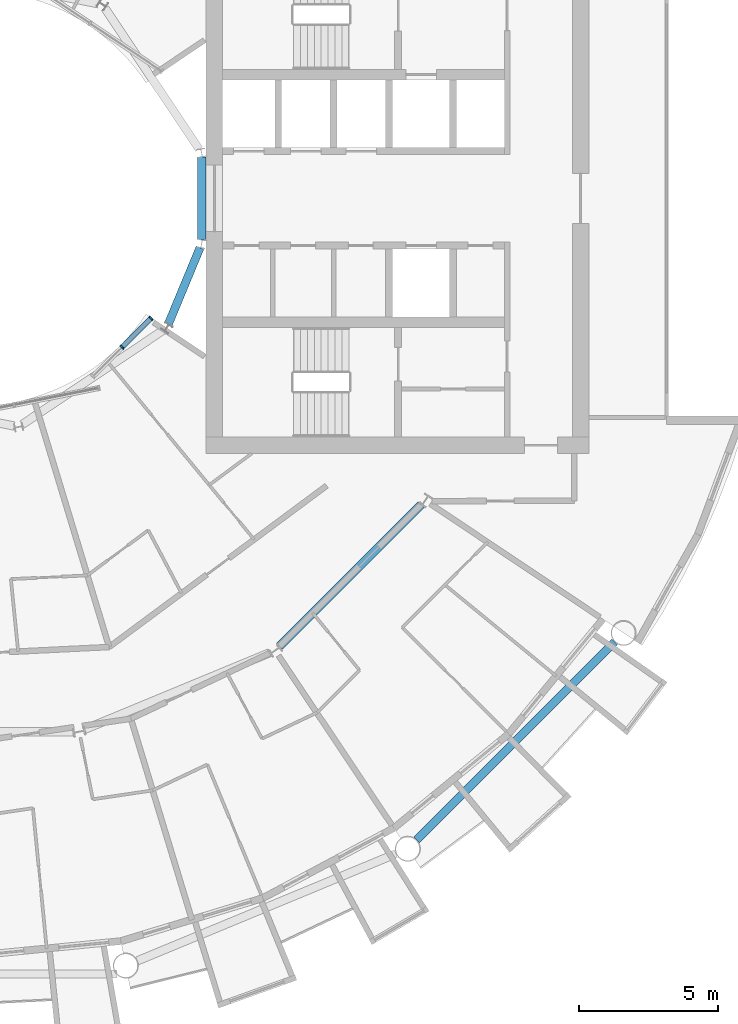
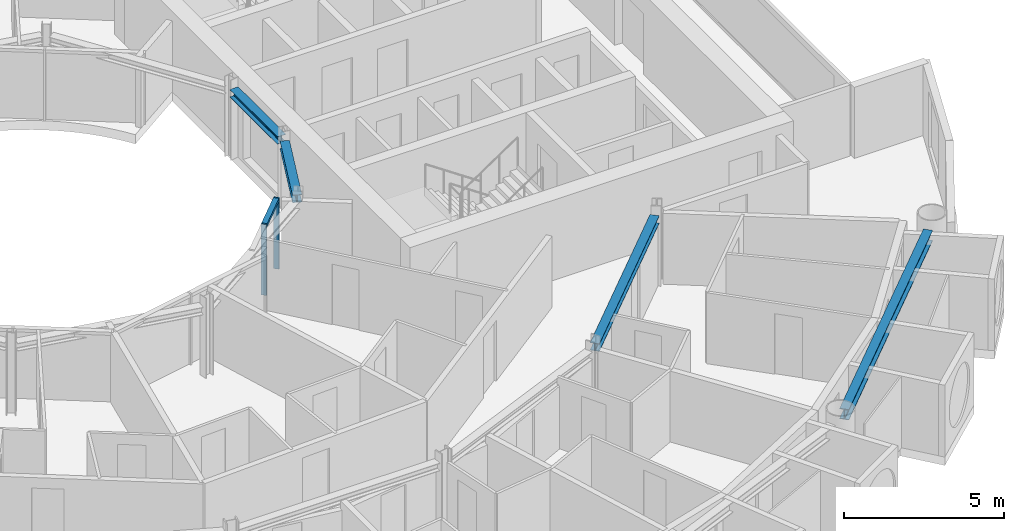
# One storey, part 7 of 26: 4 beams, 3 members, 1 element without a shape of its own.
"""IFC4 building model written with IfcOpenShell, lengths in metres."""

from ifc_helpers import new_model, si_unit, direction, frame, origin, origin_2d, place, context, subcontext, project, spatial, rectangle, i_section, extrude, material, layer, layer_set, material_profile, profile_set, type_object, element, aggregate, save


model = new_model("IFC4")

# Units and contexts
model_context = context("Model", 3, precision=1e-05, world=origin(), true_north=direction((0.0, 1.0)))
body_context = subcontext(model_context, "Body", "Model", "MODEL_VIEW")
ifc_project = project(units=[si_unit("LENGTHUNIT", "METRE"), si_unit("AREAUNIT", "SQUARE_METRE"), si_unit("VOLUMEUNIT", "CUBIC_METRE"), si_unit("PLANEANGLEUNIT", "RADIAN"), si_unit("MASSUNIT", "GRAM", prefix="KILO")], contexts=[model_context])

# Site, building, storey
site_placement = place(None, origin())
site = spatial("IfcSite", under=ifc_project, at=site_placement, CompositionType="ELEMENT")
building_placement = place(site_placement, origin())
building = spatial("IfcBuilding", under=site, at=building_placement, Name="Maasbend Ring Residences", CompositionType="ELEMENT")
storey_placement = place(building_placement, frame((0.0, 0.0, 123.85009765625)))
storey = spatial("IfcBuildingStorey", under=building, at=storey_placement, Name="L35", CompositionType="ELEMENT", Elevation=123.85009765625)

# Curtain wall, members
ifc_material_1 = material(Name="Aluminium and clear glass", Category="aluminium")
ifc_layer = layer(ifc_material_1, 0.179931640625)
ifc_layer_set = layer_set([ifc_layer], Name="CW-W")
curtain_wall_type = type_object("IfcCurtainWallType", Name="CW-W", PredefinedType="NOTDEFINED", material=ifc_layer_set)
curtain_wall_placement = place(storey_placement, origin())
curtain_wall = element("IfcCurtainWall", 1, at=curtain_wall_placement, inside=storey, type_object=curtain_wall_type, Name="Well curtain wall S3", PredefinedType="NOTDEFINED")
ifc_material_2 = material(Name="Aluminium 6063-T6", Category="aluminium")
ifc_material_profile_1 = material_profile(ifc_material_2, rectangle(XDim=0.179931640625, YDim=0.06005859375, at=origin_2d()), Name="AL 180x60")
ifc_profile_set_1 = profile_set([ifc_material_profile_1], Name="Aluminium 6063-T6")
member_type_1 = type_object("IfcMemberType", Name="CWM-W", PredefinedType="MULLION", material=ifc_profile_set_1)
member_1_placement = place(storey_placement, frame((5.366943359375, -5.366943359375, 0.0), z_axis=(0.0, 0.0, 1.0), x_axis=(-0.707106781187, 0.707106781187, 0.0)))
member_1 = element("IfcMember", 2, at=member_1_placement, type_object=member_type_1, Name="Mullion well face", PredefinedType="MULLION", context=body_context, shape_type="SweptSolid", body=[
    extrude(rectangle(XDim=0.179931640625, YDim=0.06005859375, at=origin_2d()), origin(), (0.0, 0.0, 1.0), 2.699951171875),
])
member_2_placement = place(storey_placement, frame((6.413330078125, -4.320556640625, 0.0), z_axis=(0.0, 0.0, 1.0), x_axis=(-0.707106781187, 0.707106781187, 0.0)))
member_2 = element("IfcMember", 3, at=member_2_placement, type_object=member_type_1, Name="Mullion well face", PredefinedType="MULLION", context=body_context, shape_type="SweptSolid", body=[
    extrude(rectangle(XDim=0.179931640625, YDim=0.06005859375, at=origin_2d()), origin(), (0.0, 0.0, 1.0), 2.699951171875),
])
ifc_material_3 = material(Name="Aluminium 6063-T6", Category="aluminium")
ifc_material_profile_2 = material_profile(ifc_material_3, rectangle(XDim=0.179931640625, YDim=0.1201171875, at=origin_2d()), Name="AL 180x120")
ifc_profile_set_2 = profile_set([ifc_material_profile_2], Name="Aluminium 6063-T6")
member_type_2 = type_object("IfcMemberType", Name="CWT-W", PredefinedType="USERDEFINED", material=ifc_profile_set_2)
member_3_placement = place(storey_placement, frame((5.38818359375, -5.345703125, 2.639892578125), z_axis=(0.707106781187, 0.707106781187, 0.0), x_axis=(-0.707106781187, 0.707106781187, 0.0)))
member_3 = element("IfcMember", 4, at=member_3_placement, type_object=member_type_2, Name="Transom well face", ObjectType="TRANSOM", PredefinedType="USERDEFINED", context=body_context, shape_type="SweptSolid", body=[
    extrude(rectangle(XDim=0.179931640625, YDim=0.1201171875, at=origin_2d()), origin(), (0.0, 0.0, 1.0), 1.419677734375),
])
aggregate(curtain_wall, [member_1, member_2, member_3])

# Beams
ifc_material_4 = material(Name="Steel S355J2", Category="steel")
ifc_material_profile_3 = material_profile(ifc_material_4, i_section(OverallWidth=0.300048828125, OverallDepth=0.2900390625, WebThickness=0.008544921875, FlangeThickness=0.013916015625, FilletRadius=0.027099609375, at=origin_2d()), Name="HEA 300")
ifc_profile_set_3 = profile_set([ifc_material_profile_3], Name="Steel S355J2")
beam_type_1 = type_object("IfcBeamType", Name="Corridor ring beam HEA 300", PredefinedType="BEAM", material=ifc_profile_set_3)
beam_1_placement = place(storey_placement, frame((11.044921875, -16.14111328125, 2.554931640625), z_axis=(0.707106781187, 0.707106781187, 0.0), x_axis=(-0.707106781187, 0.707106781187, 0.0)))
element("IfcBeam", 5, at=beam_1_placement, inside=storey, type_object=beam_type_1, Name="Corridor ring beam", PredefinedType="BEAM", context=body_context, shape_type="SweptSolid", body=[
    extrude(i_section(OverallWidth=0.300048828125, OverallDepth=0.2900390625, WebThickness=0.008544921875, FlangeThickness=0.013916015625, FilletRadius=0.027099609375, at=origin_2d()), origin(), (0.0, 0.0, 1.0), 7.20703125),
])
ifc_material_5 = material(Name="Steel S355J2", Category="steel")
ifc_material_profile_4 = material_profile(ifc_material_5, i_section(OverallWidth=0.300048828125, OverallDepth=0.39990234375, WebThickness=0.013427734375, FlangeThickness=0.02392578125, FilletRadius=0.027099609375, at=origin_2d()), Name="HEB 400")
ifc_profile_set_4 = profile_set([ifc_material_profile_4], Name="Steel S355J2")
beam_type_2 = type_object("IfcBeamType", Name="Spandrel ring beam HEB 400", PredefinedType="SPANDREL", material=ifc_profile_set_4)
beam_2_placement = place(storey_placement, frame((15.990234375, -23.124267578125, 2.5), z_axis=(0.707106781187, 0.707106781187, 0.0), x_axis=(-0.707106781187, 0.707106781187, 0.0)))
element("IfcBeam", 6, at=beam_2_placement, inside=storey, type_object=beam_type_2, Name="Spandrel ring beam", PredefinedType="SPANDREL", context=body_context, shape_type="SweptSolid", body=[
    extrude(i_section(OverallWidth=0.300048828125, OverallDepth=0.39990234375, WebThickness=0.013427734375, FlangeThickness=0.02392578125, FilletRadius=0.027099609375, at=origin_2d()), origin(), (0.0, 0.0, 1.0), 10.089111328125),
])
ifc_material_6 = material(Name="Steel S355J2", Category="steel")
ifc_material_profile_5 = material_profile(ifc_material_6, i_section(OverallWidth=0.300048828125, OverallDepth=0.2900390625, WebThickness=0.008544921875, FlangeThickness=0.013916015625, FilletRadius=0.027099609375, at=origin_2d()), Name="HEA 300")
ifc_profile_set_5 = profile_set([ifc_material_profile_5], Name="Steel S355J2")
beam_type_3 = type_object("IfcBeamType", Name="Well edge beam HEA 300", PredefinedType="BEAM", material=ifc_profile_set_5)
for number, where, z_axis, x_axis, name in (
    (7, (7.042724609375, -4.525390625, 2.554931640625), (0.382765370874, 0.923845588212, 0.0), (-0.923845588212, 0.382765370874, 0.0), "Well edge beam"),
    (8, (8.238525390625, -1.48583984375, 2.554931640625), (0.0, 1.0, 0.0), (-1.0, 0.0, 0.0), "Well edge beam"),
):
    element("IfcBeam", number, at=place(storey_placement, frame(where, z_axis=z_axis, x_axis=x_axis)), inside=storey, type_object=beam_type_3, Name=name, PredefinedType="BEAM", context=body_context, shape_type="SweptSolid", body=[
        extrude(i_section(OverallWidth=0.300048828125, OverallDepth=0.2900390625, WebThickness=0.008544921875, FlangeThickness=0.013916015625, FilletRadius=0.027099609375, at=origin_2d()), origin(), (0.0, 0.0, 1.0), 2.9716796875),
    ])

save(model, "model.ifc")
